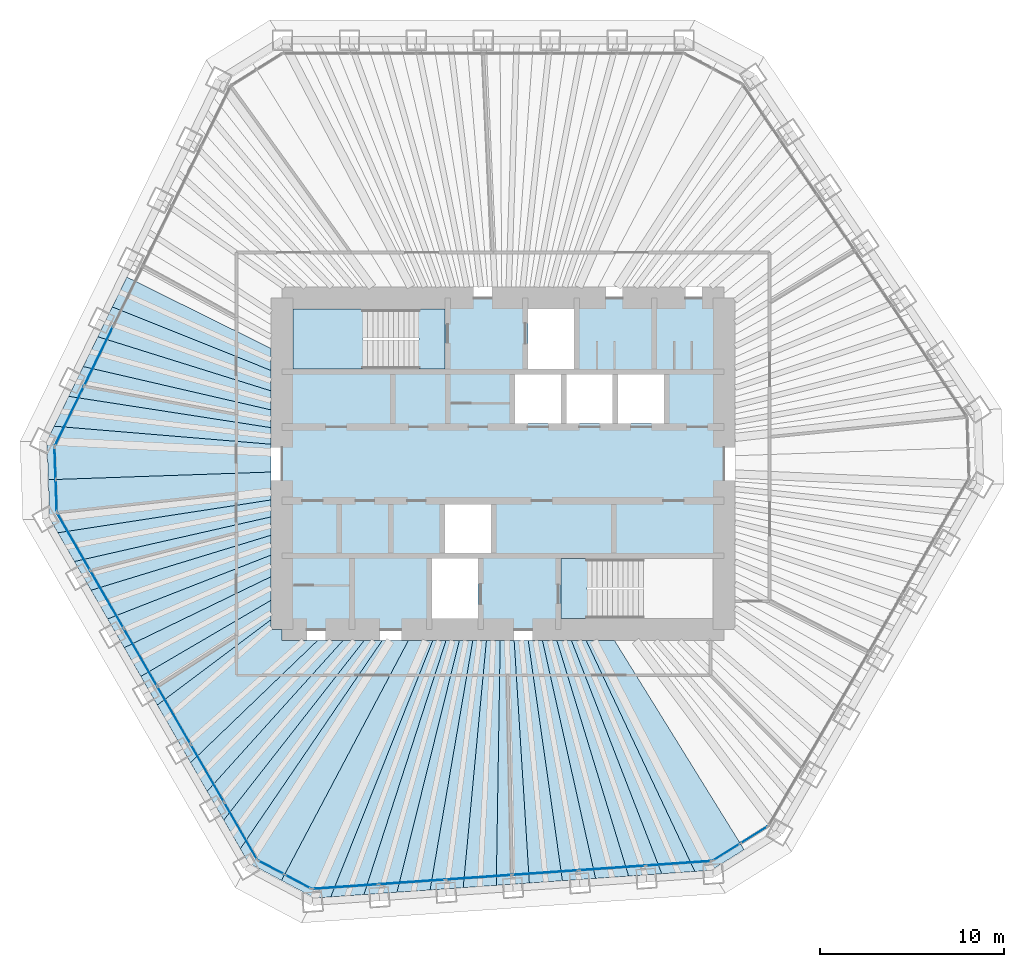
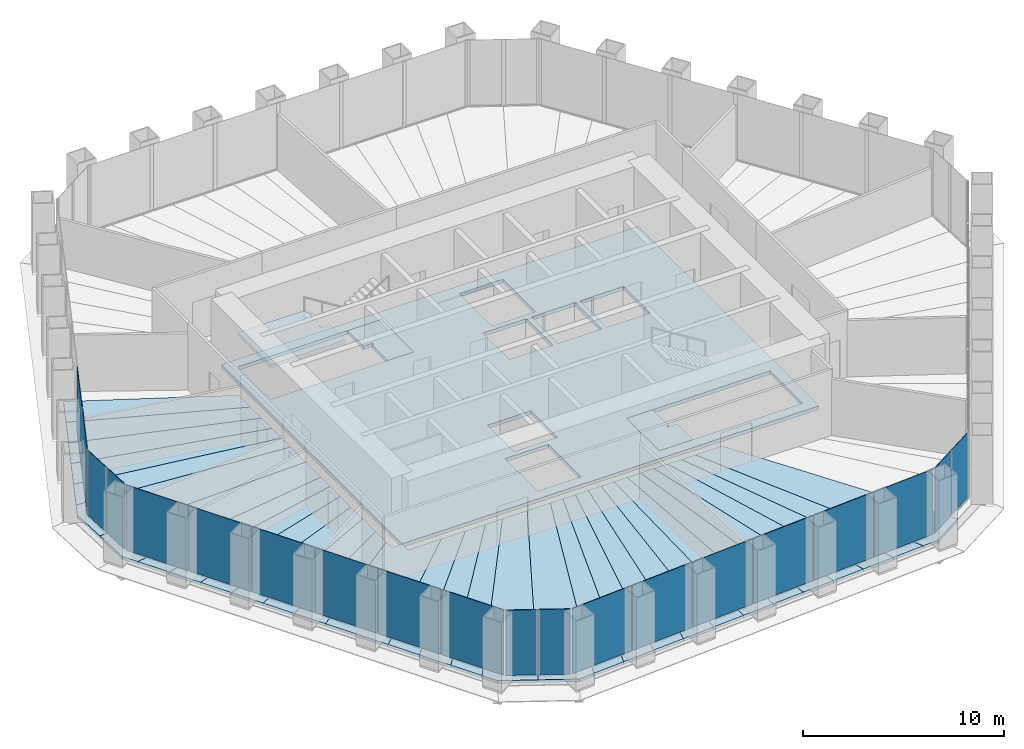
# One storey, part 8 of 13: 35 slabs, 20 plates, 8 elements without a shape of their own.
"""IFC4 building model written with IfcOpenShell, lengths in metres."""

from ifc_helpers import new_model, si_unit, direction, frame, origin, origin_2d, place, context, subcontext, project, spatial, polyline, rectangle, outline, extrude, material, layer, layer_set, type_object, element, aggregate, save


model = new_model("IFC4")

# Units and contexts
model_context = context("Model", 3, precision=1e-05, world=origin(), true_north=direction((0.0, 1.0)))
body_context = subcontext(model_context, "Body", "Model", "MODEL_VIEW")
ifc_project = project(units=[si_unit("LENGTHUNIT", "METRE"), si_unit("AREAUNIT", "SQUARE_METRE"), si_unit("VOLUMEUNIT", "CUBIC_METRE"), si_unit("PLANEANGLEUNIT", "RADIAN"), si_unit("MASSUNIT", "GRAM", prefix="KILO")], contexts=[model_context])

# Site, building, storey
site_placement = place(None, origin())
site = spatial("IfcSite", under=ifc_project, at=site_placement, CompositionType="ELEMENT")
building_placement = place(site_placement, origin())
building = spatial("IfcBuilding", under=site, at=building_placement, Name="Qingtian Harvest Tower", CompositionType="ELEMENT")
storey_placement = place(building_placement, frame((0.0, 0.0, 218.199951171875)))
storey = spatial("IfcBuildingStorey", under=building, at=storey_placement, Name="L47", CompositionType="ELEMENT", Elevation=218.199951171875)

# Slabs
ifc_material_1 = material(Name="Concrete fc' 35 MPa", Category="concrete")
ifc_layer_1 = layer(ifc_material_1, 0.169921875)
ifc_layer_set_1 = layer_set([ifc_layer_1], Name="Composite floor slab FS17 170")
slab_type_1 = type_object("IfcSlabType", Name="Composite floor slab FS17 170", PredefinedType="FLOOR", material=ifc_layer_set_1)
slab_1_placement = place(storey_placement, frame((0.0, 0.0, -0.169921875)))
element("IfcSlab", 1, at=slab_1_placement, inside=storey, type_object=slab_type_1, Name="Floor slab L47 panel D01", PredefinedType="FLOOR", context=body_context, shape_type="SweptSolid", body=[
    extrude(outline(polyline([(-24.6865234375, -0.862060546875), (-12.60009765625, -0.443115234375), (-12.60009765625, -1.958984375), (-24.17236328125, -3.742431640625), (-24.612548828125, -2.979736328125), (-24.6865234375, -0.862060546875)])), origin(), (0.0, 0.0, 1.0), 0.169921875),
])
slab_2_placement = place(storey_placement, frame((0.0, 0.0, -0.169921875)))
element("IfcSlab", 2, at=slab_2_placement, inside=storey, type_object=slab_type_1, Name="Floor slab L47 panel D02", PredefinedType="FLOOR", context=body_context, shape_type="SweptSolid", body=[
    extrude(outline(polyline([(-12.60009765625, -2.880126953125), (-23.271484375, -5.302490234375), (-24.17236328125, -3.742431640625), (-12.60009765625, -1.958984375), (-12.60009765625, -2.880126953125)])), origin(), (0.0, 0.0, 1.0), 0.169921875),
])
slab_3_placement = place(storey_placement, frame((0.0, 0.0, -0.169921875)))
element("IfcSlab", 3, at=slab_3_placement, inside=storey, type_object=slab_type_1, Name="Floor slab L47 panel D03", PredefinedType="FLOOR", context=body_context, shape_type="SweptSolid", body=[
    extrude(outline(polyline([(-12.60009765625, -3.87548828125), (-22.370849609375, -6.862548828125), (-23.271484375, -5.302490234375), (-12.60009765625, -2.880126953125), (-12.60009765625, -3.87548828125)])), origin(), (0.0, 0.0, 1.0), 0.169921875),
])
slab_4_placement = place(storey_placement, frame((0.0, 0.0, -0.169921875)))
element("IfcSlab", 4, at=slab_4_placement, inside=storey, type_object=slab_type_1, Name="Floor slab L47 panel D04", PredefinedType="FLOOR", context=body_context, shape_type="SweptSolid", body=[
    extrude(outline(polyline([(-12.60009765625, -4.95458984375), (-21.47021484375, -8.422607421875), (-22.370849609375, -6.862548828125), (-12.60009765625, -3.87548828125), (-12.60009765625, -4.95458984375)])), origin(), (0.0, 0.0, 1.0), 0.169921875),
])
slab_5_placement = place(storey_placement, frame((0.0, 0.0, -0.169921875)))
element("IfcSlab", 5, at=slab_5_placement, inside=storey, type_object=slab_type_1, Name="Floor slab L47 panel D05", PredefinedType="FLOOR", context=body_context, shape_type="SweptSolid", body=[
    extrude(outline(polyline([(-12.60009765625, -6.128173828125), (-20.569580078125, -9.982666015625), (-21.47021484375, -8.422607421875), (-12.60009765625, -4.95458984375), (-12.60009765625, -6.128173828125)])), origin(), (0.0, 0.0, 1.0), 0.169921875),
])
slab_6_placement = place(storey_placement, frame((0.0, 0.0, -0.169921875)))
element("IfcSlab", 6, at=slab_6_placement, inside=storey, type_object=slab_type_1, Name="Floor slab L47 panel D06", PredefinedType="FLOOR", context=body_context, shape_type="SweptSolid", body=[
    extrude(outline(polyline([(-12.60009765625, -7.409423828125), (-19.668701171875, -11.542724609375), (-20.569580078125, -9.982666015625), (-12.60009765625, -6.128173828125), (-12.60009765625, -7.409423828125)])), origin(), (0.0, 0.0, 1.0), 0.169921875),
])
slab_7_placement = place(storey_placement, frame((0.0, 0.0, -0.169921875)))
element("IfcSlab", 7, at=slab_7_placement, inside=storey, type_object=slab_type_1, Name="Floor slab L47 panel D07", PredefinedType="FLOOR", context=body_context, shape_type="SweptSolid", body=[
    extrude(outline(polyline([(-12.60009765625, -8.46435546875), (-18.771728515625, -13.0966796875), (-19.668701171875, -11.542724609375), (-12.60009765625, -7.409423828125), (-12.60009765625, -8.46435546875)])), origin(), (0.0, 0.0, 1.0), 0.169921875),
])
slab_8_placement = place(storey_placement, frame((0.0, 0.0, -0.169921875)))
element("IfcSlab", 8, at=slab_8_placement, inside=storey, type_object=slab_type_1, Name="Floor slab L47 panel D09", PredefinedType="FLOOR", context=body_context, shape_type="SweptSolid", body=[
    extrude(outline(polyline([(-16.967041015625, -16.22216796875), (-18.771728515625, -13.0966796875), (-12.60009765625, -8.46435546875), (-12.60009765625, -9.0), (-12.0, -9.0), (-12.0, -9.60009765625), (-10.07666015625, -9.60009765625), (-16.967041015625, -16.22216796875)])), origin(), (0.0, 0.0, 1.0), 0.169921875),
])
slab_9_placement = place(storey_placement, frame((0.0, 0.0, -0.169921875)))
element("IfcSlab", 9, at=slab_9_placement, inside=storey, type_object=slab_type_1, Name="Floor slab L47 panel D10", PredefinedType="FLOOR", context=body_context, shape_type="SweptSolid", body=[
    extrude(outline(polyline([(-8.700927734375, -9.60009765625), (-16.06640625, -17.7822265625), (-16.967041015625, -16.22216796875), (-10.07666015625, -9.60009765625), (-8.700927734375, -9.60009765625)])), origin(), (0.0, 0.0, 1.0), 0.169921875),
])
slab_10_placement = place(storey_placement, frame((0.0, 0.0, -0.169921875)))
element("IfcSlab", 10, at=slab_10_placement, inside=storey, type_object=slab_type_1, Name="Floor slab L47 panel D11", PredefinedType="FLOOR", context=body_context, shape_type="SweptSolid", body=[
    extrude(outline(polyline([(-7.548095703125, -9.60009765625), (-15.16552734375, -19.34228515625), (-16.06640625, -17.7822265625), (-8.700927734375, -9.60009765625), (-7.548095703125, -9.60009765625)])), origin(), (0.0, 0.0, 1.0), 0.169921875),
])
slab_11_placement = place(storey_placement, frame((0.0, 0.0, -0.169921875)))
element("IfcSlab", 11, at=slab_11_placement, inside=storey, type_object=slab_type_1, Name="Floor slab L47 panel D12", PredefinedType="FLOOR", context=body_context, shape_type="SweptSolid", body=[
    extrude(outline(polyline([(-6.568359375, -9.60009765625), (-14.264892578125, -20.90234375), (-15.16552734375, -19.34228515625), (-7.548095703125, -9.60009765625), (-6.568359375, -9.60009765625)])), origin(), (0.0, 0.0, 1.0), 0.169921875),
])
slab_12_placement = place(storey_placement, frame((0.0, 0.0, -0.169921875)))
element("IfcSlab", 12, at=slab_12_placement, inside=storey, type_object=slab_type_1, Name="Floor slab L47 panel D13", PredefinedType="FLOOR", context=body_context, shape_type="SweptSolid", body=[
    extrude(outline(polyline([(-6.568359375, -9.60009765625), (-5.14501953125, -9.60009765625), (-12.028076171875, -22.620361328125), (-13.82470703125, -21.6650390625), (-14.264892578125, -20.90234375), (-6.568359375, -9.60009765625)])), origin(), (0.0, 0.0, 1.0), 0.169921875),
])
slab_13_placement = place(storey_placement, frame((0.0, 0.0, -0.169921875)))
element("IfcSlab", 13, at=slab_13_placement, inside=storey, type_object=slab_type_1, Name="Floor slab L47 panel D14", PredefinedType="FLOOR", context=body_context, shape_type="SweptSolid", body=[
    extrude(outline(polyline([(-5.14501953125, -9.60009765625), (-3.817138671875, -9.60009765625), (-9.352294921875, -23.5146484375), (-10.23046875, -23.576171875), (-12.028076171875, -22.620361328125), (-5.14501953125, -9.60009765625)])), origin(), (0.0, 0.0, 1.0), 0.169921875),
])
slab_14_placement = place(storey_placement, frame((0.0, 0.0, -0.169921875)))
element("IfcSlab", 14, at=slab_14_placement, inside=storey, type_object=slab_type_1, Name="Floor slab L47 panel D15", PredefinedType="FLOOR", context=body_context, shape_type="SweptSolid", body=[
    extrude(outline(polyline([(-3.10009765625, -9.60009765625), (-7.55517578125, -23.388916015625), (-9.352294921875, -23.5146484375), (-3.817138671875, -9.60009765625), (-3.10009765625, -9.60009765625)])), origin(), (0.0, 0.0, 1.0), 0.169921875),
])
slab_15_placement = place(storey_placement, frame((0.0, 0.0, -0.169921875)))
element("IfcSlab", 15, at=slab_15_placement, inside=storey, type_object=slab_type_1, Name="Floor slab L47 panel D16", PredefinedType="FLOOR", context=body_context, shape_type="SweptSolid", body=[
    extrude(outline(polyline([(-2.375244140625, -9.60009765625), (-5.75830078125, -23.263427734375), (-7.55517578125, -23.388916015625), (-3.10009765625, -9.60009765625), (-2.375244140625, -9.60009765625)])), origin(), (0.0, 0.0, 1.0), 0.169921875),
])
slab_16_placement = place(storey_placement, frame((0.0, 0.0, -0.169921875)))
element("IfcSlab", 16, at=slab_16_placement, inside=storey, type_object=slab_type_1, Name="Floor slab L47 panel D17", PredefinedType="FLOOR", context=body_context, shape_type="SweptSolid", body=[
    extrude(outline(polyline([(-1.642578125, -9.60009765625), (-3.96142578125, -23.1376953125), (-5.75830078125, -23.263427734375), (-2.375244140625, -9.60009765625), (-1.642578125, -9.60009765625)])), origin(), (0.0, 0.0, 1.0), 0.169921875),
])
slab_17_placement = place(storey_placement, frame((0.0, 0.0, -0.169921875)))
element("IfcSlab", 17, at=slab_17_placement, inside=storey, type_object=slab_type_1, Name="Floor slab L47 panel D18", PredefinedType="FLOOR", context=body_context, shape_type="SweptSolid", body=[
    extrude(outline(polyline([(-0.90185546875, -9.60009765625), (-2.164306640625, -23.011962890625), (-3.96142578125, -23.1376953125), (-1.642578125, -9.60009765625), (-0.90185546875, -9.60009765625)])), origin(), (0.0, 0.0, 1.0), 0.169921875),
])
slab_18_placement = place(storey_placement, frame((0.0, 0.0, -0.169921875)))
element("IfcSlab", 18, at=slab_18_placement, inside=storey, type_object=slab_type_1, Name="Floor slab L47 panel D19", PredefinedType="FLOOR", context=body_context, shape_type="SweptSolid", body=[
    extrude(outline(polyline([(-0.153076171875, -9.60009765625), (-0.367431640625, -22.886474609375), (-2.164306640625, -23.011962890625), (-0.90185546875, -9.60009765625), (-0.153076171875, -9.60009765625)])), origin(), (0.0, 0.0, 1.0), 0.169921875),
])
slab_19_placement = place(storey_placement, frame((0.0, 0.0, -0.169921875)))
element("IfcSlab", 19, at=slab_19_placement, inside=storey, type_object=slab_type_1, Name="Floor slab L47 panel D20", PredefinedType="FLOOR", context=body_context, shape_type="SweptSolid", body=[
    extrude(outline(polyline([(0.60400390625, -9.60009765625), (1.4296875, -22.7607421875), (-0.367431640625, -22.886474609375), (-0.153076171875, -9.60009765625), (0.60400390625, -9.60009765625)])), origin(), (0.0, 0.0, 1.0), 0.169921875),
])
slab_20_placement = place(storey_placement, frame((0.0, 0.0, -0.169921875)))
element("IfcSlab", 20, at=slab_20_placement, inside=storey, type_object=slab_type_1, Name="Floor slab L47 panel D21", PredefinedType="FLOOR", context=body_context, shape_type="SweptSolid", body=[
    extrude(outline(polyline([(1.36962890625, -9.60009765625), (3.2265625, -22.635009765625), (1.4296875, -22.7607421875), (0.60400390625, -9.60009765625), (1.36962890625, -9.60009765625)])), origin(), (0.0, 0.0, 1.0), 0.169921875),
])
slab_21_placement = place(storey_placement, frame((0.0, 0.0, -0.169921875)))
element("IfcSlab", 21, at=slab_21_placement, inside=storey, type_object=slab_type_1, Name="Floor slab L47 panel D22", PredefinedType="FLOOR", context=body_context, shape_type="SweptSolid", body=[
    extrude(outline(polyline([(2.1435546875, -9.60009765625), (5.023681640625, -22.509521484375), (3.2265625, -22.635009765625), (1.36962890625, -9.60009765625), (2.1435546875, -9.60009765625)])), origin(), (0.0, 0.0, 1.0), 0.169921875),
])
slab_22_placement = place(storey_placement, frame((0.0, 0.0, -0.169921875)))
element("IfcSlab", 22, at=slab_22_placement, inside=storey, type_object=slab_type_1, Name="Floor slab L47 panel D23", PredefinedType="FLOOR", context=body_context, shape_type="SweptSolid", body=[
    extrude(outline(polyline([(2.92626953125, -9.60009765625), (6.820556640625, -22.3837890625), (5.023681640625, -22.509521484375), (2.1435546875, -9.60009765625), (2.92626953125, -9.60009765625)])), origin(), (0.0, 0.0, 1.0), 0.169921875),
])
slab_23_placement = place(storey_placement, frame((0.0, 0.0, -0.169921875)))
element("IfcSlab", 23, at=slab_23_placement, inside=storey, type_object=slab_type_1, Name="Floor slab L47 panel D24", PredefinedType="FLOOR", context=body_context, shape_type="SweptSolid", body=[
    extrude(outline(polyline([(3.718017578125, -9.60009765625), (8.61767578125, -22.258056640625), (6.820556640625, -22.3837890625), (2.92626953125, -9.60009765625), (3.718017578125, -9.60009765625)])), origin(), (0.0, 0.0, 1.0), 0.169921875),
])
slab_24_placement = place(storey_placement, frame((0.0, 0.0, -0.169921875)))
element("IfcSlab", 24, at=slab_24_placement, inside=storey, type_object=slab_type_1, Name="Floor slab L47 panel D25", PredefinedType="FLOOR", context=body_context, shape_type="SweptSolid", body=[
    extrude(outline(polyline([(4.5185546875, -9.60009765625), (10.41455078125, -22.13232421875), (8.61767578125, -22.258056640625), (3.718017578125, -9.60009765625), (4.5185546875, -9.60009765625)])), origin(), (0.0, 0.0, 1.0), 0.169921875),
])
slab_25_placement = place(storey_placement, frame((0.0, 0.0, -0.169921875)))
element("IfcSlab", 25, at=slab_25_placement, inside=storey, type_object=slab_type_1, Name="Floor slab L47 panel D26", PredefinedType="FLOOR", context=body_context, shape_type="SweptSolid", body=[
    extrude(outline(polyline([(4.5185546875, -9.60009765625), (6.059326171875, -9.60009765625), (13.090576171875, -20.94775390625), (11.292724609375, -22.071044921875), (10.41455078125, -22.13232421875), (4.5185546875, -9.60009765625)])), origin(), (0.0, 0.0, 1.0), 0.169921875),
])
slab_26_placement = place(storey_placement, frame((0.0, 0.0, -0.169921875)))
element("IfcSlab", 26, at=slab_26_placement, inside=storey, type_object=slab_type_1, Name="Floor slab L47 panel D73", PredefinedType="FLOOR", context=body_context, shape_type="SweptSolid", body=[
    extrude(outline(polyline([(-12.60009765625, 5.072509765625), (-21.2158203125, 8.5234375), (-20.426025390625, 10.142578125), (-12.60009765625, 6.268310546875), (-12.60009765625, 5.072509765625)])), origin(), (0.0, 0.0, 1.0), 0.169921875),
])
slab_27_placement = place(storey_placement, frame((0.0, 0.0, -0.169921875)))
element("IfcSlab", 27, at=slab_27_placement, inside=storey, type_object=slab_type_1, Name="Floor slab L47 panel D74", PredefinedType="FLOOR", context=body_context, shape_type="SweptSolid", body=[
    extrude(outline(polyline([(-12.60009765625, 3.962890625), (-22.00537109375, 6.904296875), (-21.2158203125, 8.5234375), (-12.60009765625, 5.072509765625), (-12.60009765625, 3.962890625)])), origin(), (0.0, 0.0, 1.0), 0.169921875),
])
slab_28_placement = place(storey_placement, frame((0.0, 0.0, -0.169921875)))
element("IfcSlab", 28, at=slab_28_placement, inside=storey, type_object=slab_type_1, Name="Floor slab L47 panel D75", PredefinedType="FLOOR", context=body_context, shape_type="SweptSolid", body=[
    extrude(outline(polyline([(-12.60009765625, 2.929931640625), (-22.795166015625, 5.28515625), (-22.00537109375, 6.904296875), (-12.60009765625, 3.962890625), (-12.60009765625, 2.929931640625)])), origin(), (0.0, 0.0, 1.0), 0.169921875),
])
slab_29_placement = place(storey_placement, frame((0.0, 0.0, -0.169921875)))
element("IfcSlab", 29, at=slab_29_placement, inside=storey, type_object=slab_type_1, Name="Floor slab L47 panel D76", PredefinedType="FLOOR", context=body_context, shape_type="SweptSolid", body=[
    extrude(outline(polyline([(-12.60009765625, 1.96630859375), (-23.584716796875, 3.666259765625), (-22.795166015625, 5.28515625), (-12.60009765625, 2.929931640625), (-12.60009765625, 1.96630859375)])), origin(), (0.0, 0.0, 1.0), 0.169921875),
])
slab_30_placement = place(storey_placement, frame((0.0, 0.0, -0.169921875)))
element("IfcSlab", 30, at=slab_30_placement, inside=storey, type_object=slab_type_1, Name="Floor slab L47 panel D77", PredefinedType="FLOOR", context=body_context, shape_type="SweptSolid", body=[
    extrude(outline(polyline([(-12.60009765625, 1.065185546875), (-24.37451171875, 2.047119140625), (-23.584716796875, 3.666259765625), (-12.60009765625, 1.96630859375), (-12.60009765625, 1.065185546875)])), origin(), (0.0, 0.0, 1.0), 0.169921875),
])
slab_31_placement = place(storey_placement, frame((0.0, 0.0, -0.169921875)))
element("IfcSlab", 31, at=slab_31_placement, inside=storey, type_object=slab_type_1, Name="Floor slab L47 panel D78", PredefinedType="FLOOR", context=body_context, shape_type="SweptSolid", body=[
    extrude(outline(polyline([(-12.60009765625, 1.065185546875), (-12.60009765625, -0.443115234375), (-24.6865234375, -0.862060546875), (-24.760498046875, 1.255615234375), (-24.37451171875, 2.047119140625), (-12.60009765625, 1.065185546875)])), origin(), (0.0, 0.0, 1.0), 0.169921875),
])
ifc_material_2 = material(Name="Concrete fc' 35 MPa", Category="concrete")
ifc_layer_2 = layer(ifc_material_2, 0.219970703125)
ifc_layer_set_2 = layer_set([ifc_layer_2], Name="Core floor slab CS22 220")
slab_type_2 = type_object("IfcSlabType", Name="Core floor slab CS22 220", PredefinedType="FLOOR", material=ifc_layer_set_2)
slab_32_placement = place(storey_placement, frame((0.0, 0.0, -0.219970703125)))
element("IfcSlab", 32, at=slab_32_placement, inside=storey, type_object=slab_type_2, Name="Core floor slab L47", PredefinedType="FLOOR", context=body_context, shape_type="SweptSolid", body=[
    extrude(outline(polyline([(-12.0, -9.0), (12.0, -9.0), (12.0, 9.0), (-12.0, 9.0), (-12.0, -9.0)]), holes=[polyline([(-11.39990234375, 5.14990234375), (-3.14990234375, 5.14990234375), (-3.14990234375, 8.39990234375), (-11.39990234375, 8.39990234375), (-11.39990234375, 5.14990234375)]), polyline([(3.14990234375, -8.39990234375), (11.39990234375, -8.39990234375), (11.39990234375, -5.14990234375), (3.14990234375, -5.14990234375), (3.14990234375, -8.39990234375)]), polyline([(1.35009765625, 5.14990234375), (3.85009765625, 5.14990234375), (3.85009765625, 8.39990234375), (1.35009765625, 8.39990234375), (1.35009765625, 5.14990234375)]), polyline([(-3.85009765625, -8.39990234375), (-1.35009765625, -8.39990234375), (-1.35009765625, -5.14990234375), (-3.85009765625, -5.14990234375), (-3.85009765625, -8.39990234375)]), polyline([(0.64990234375, 2.199951171875), (3.14990234375, 2.199951171875), (3.14990234375, 4.85009765625), (0.64990234375, 4.85009765625), (0.64990234375, 2.199951171875)]), polyline([(3.449951171875, 2.199951171875), (5.949951171875, 2.199951171875), (5.949951171875, 4.85009765625), (3.449951171875, 4.85009765625), (3.449951171875, 2.199951171875)]), polyline([(6.25, 2.199951171875), (8.75, 2.199951171875), (8.75, 4.85009765625), (6.25, 4.85009765625), (6.25, 2.199951171875)]), polyline([(-3.14990234375, -4.85009765625), (-0.64990234375, -4.85009765625), (-0.64990234375, -2.199951171875), (-3.14990234375, -2.199951171875), (-3.14990234375, -4.85009765625)])]), origin(), (0.0, 0.0, 1.0), 0.219970703125),
])

# Curtain wall, plates
ifc_material_3 = material(Name="Bronze-anodised aluminium curtain wall", Category="aluminium")
curtain_wall_type = type_object("IfcCurtainWallType", Name="Curtain wall CW4 office", PredefinedType="USERDEFINED", material=ifc_material_3)
curtain_wall_1_placement = place(storey_placement, origin())
curtain_wall_1 = element("IfcCurtainWall", 33, at=curtain_wall_1_placement, inside=storey, type_object=curtain_wall_type, Name="Curtain wall CW4 L47 SEC", ObjectType="RECESSED CURTAIN WALL", PredefinedType="USERDEFINED")
ifc_material_4 = material(Name="Bronze-tinted laminated insulating glass", Category="glass")
ifc_layer_3 = layer(ifc_material_4, 0.030029296875)
ifc_layer_set_3 = layer_set([ifc_layer_3], Name="Glazed panel CWP tinted IGU")
plate_type = type_object("IfcPlateType", Name="Glazed panel CWP tinted IGU", PredefinedType="CURTAIN_PANEL", material=ifc_layer_set_3)
plate_1_placement = place(storey_placement, frame((13.624755859375, -20.1455078125, 0.06494140625), z_axis=(0.0, 0.0, 1.0), x_axis=(-0.848048096156, -0.529919264233, 0.0)))
plate_1 = element("IfcPlate", 34, at=plate_1_placement, type_object=plate_type, Name="CW4 panel 1.1", PredefinedType="CURTAIN_PANEL", context=body_context, shape_type="SweptSolid", body=[
    extrude(rectangle(XDim=1.69287109375, YDim=0.030029296875, at=origin_2d()), origin(), (0.0, 0.0, 1.0), 3.965087890625),
])
plate_2_placement = place(storey_placement, frame((12.134033203125, -21.076904296875, 0.06494140625), z_axis=(0.0, 0.0, 1.0), x_axis=(-0.848048096156, -0.529919264233, 0.0)))
plate_2 = element("IfcPlate", 35, at=plate_2_placement, type_object=plate_type, Name="CW4 panel 2.1", PredefinedType="CURTAIN_PANEL", context=body_context, shape_type="SweptSolid", body=[
    extrude(rectangle(XDim=1.69287109375, YDim=0.030029296875, at=origin_2d()), origin(), (0.0, 0.0, 1.0), 3.965087890625),
])
aggregate(curtain_wall_1, [plate_1, plate_2])

curtain_wall_2_placement = place(storey_placement, origin())
curtain_wall_2 = element("IfcCurtainWall", 36, at=curtain_wall_2_placement, inside=storey, type_object=curtain_wall_type, Name="Curtain wall CW4 L47 S0-5", ObjectType="RECESSED CURTAIN WALL", PredefinedType="USERDEFINED")
plate_3_placement = place(storey_placement, frame((9.532470703125, -21.68798828125, 0.06494140625), z_axis=(0.0, 0.0, 1.0), x_axis=(-0.99756405026, -0.069756473744, 0.0)))
plate_3 = element("IfcPlate", 37, at=plate_3_placement, type_object=plate_type, Name="CW4 panel 1.1", PredefinedType="CURTAIN_PANEL", context=body_context, shape_type="SweptSolid", body=[
    extrude(rectangle(XDim=3.5361328125, YDim=0.030029296875, at=origin_2d()), origin(), (0.0, 0.0, 1.0), 3.965087890625),
])
plate_4_placement = place(storey_placement, frame((5.923828125, -21.940185546875, 0.06494140625), z_axis=(0.0, 0.0, 1.0), x_axis=(-0.99756405026, -0.069756473744, 0.0)))
plate_4 = element("IfcPlate", 38, at=plate_4_placement, type_object=plate_type, Name="CW4 panel 2.1", PredefinedType="CURTAIN_PANEL", context=body_context, shape_type="SweptSolid", body=[
    extrude(rectangle(XDim=3.568603515625, YDim=0.030029296875, at=origin_2d()), origin(), (0.0, 0.0, 1.0), 3.965087890625),
])
plate_5_placement = place(storey_placement, frame((2.299072265625, -22.193603515625, 0.06494140625), z_axis=(0.0, 0.0, 1.0), x_axis=(-0.99756405026, -0.069756473744, 0.0)))
plate_5 = element("IfcPlate", 39, at=plate_5_placement, type_object=plate_type, Name="CW4 panel 3.1", PredefinedType="CURTAIN_PANEL", context=body_context, shape_type="SweptSolid", body=[
    extrude(rectangle(XDim=3.568603515625, YDim=0.030029296875, at=origin_2d()), origin(), (0.0, 0.0, 1.0), 3.965087890625),
])
plate_6_placement = place(storey_placement, frame((-1.325439453125, -22.447021484375, 0.06494140625), z_axis=(0.0, 0.0, 1.0), x_axis=(-0.99756405026, -0.069756473744, 0.0)))
plate_6 = element("IfcPlate", 40, at=plate_6_placement, type_object=plate_type, Name="CW4 panel 4.1", PredefinedType="CURTAIN_PANEL", context=body_context, shape_type="SweptSolid", body=[
    extrude(rectangle(XDim=3.568603515625, YDim=0.030029296875, at=origin_2d()), origin(), (0.0, 0.0, 1.0), 3.965087890625),
])
plate_7_placement = place(storey_placement, frame((-4.9501953125, -22.70068359375, 0.06494140625), z_axis=(0.0, 0.0, 1.0), x_axis=(-0.99756405026, -0.069756473744, 0.0)))
plate_7 = element("IfcPlate", 41, at=plate_7_placement, type_object=plate_type, Name="CW4 panel 5.1", PredefinedType="CURTAIN_PANEL", context=body_context, shape_type="SweptSolid", body=[
    extrude(rectangle(XDim=3.568603515625, YDim=0.030029296875, at=origin_2d()), origin(), (0.0, 0.0, 1.0), 3.965087890625),
])
plate_8_placement = place(storey_placement, frame((-8.55859375, -22.952880859375, 0.06494140625), z_axis=(0.0, 0.0, 1.0), x_axis=(-0.99756405026, -0.069756473744, 0.0)))
plate_8 = element("IfcPlate", 42, at=plate_8_placement, type_object=plate_type, Name="CW4 panel 6.1", PredefinedType="CURTAIN_PANEL", context=body_context, shape_type="SweptSolid", body=[
    extrude(rectangle(XDim=3.5361328125, YDim=0.030029296875, at=origin_2d()), origin(), (0.0, 0.0, 1.0), 3.965087890625),
])
aggregate(curtain_wall_2, [plate_3, plate_4, plate_5, plate_6, plate_7, plate_8])

curtain_wall_3_placement = place(storey_placement, origin())
curtain_wall_3 = element("IfcCurtainWall", 43, at=curtain_wall_3_placement, inside=storey, type_object=curtain_wall_type, Name="Curtain wall CW4 L47 SC", ObjectType="RECESSED CURTAIN WALL", PredefinedType="USERDEFINED")
plate_9_placement = place(storey_placement, frame((-11.136474609375, -22.682373046875, 0.06494140625), z_axis=(0.0, 0.0, 1.0), x_axis=(-0.882947592859, 0.469471562786, 0.0)))
plate_9 = element("IfcPlate", 44, at=plate_9_placement, type_object=plate_type, Name="CW4 panel 1.1", PredefinedType="CURTAIN_PANEL", context=body_context, shape_type="SweptSolid", body=[
    extrude(rectangle(XDim=1.56689453125, YDim=0.030029296875, at=origin_2d()), origin(), (0.0, 0.0, 1.0), 3.965087890625),
])
plate_10_placement = place(storey_placement, frame((-12.5771484375, -21.916259765625, 0.06494140625), z_axis=(0.0, 0.0, 1.0), x_axis=(-0.882947592859, 0.469471562786, 0.0)))
plate_10 = element("IfcPlate", 45, at=plate_10_placement, type_object=plate_type, Name="CW4 panel 2.1", PredefinedType="CURTAIN_PANEL", context=body_context, shape_type="SweptSolid", body=[
    extrude(rectangle(XDim=1.56689453125, YDim=0.030029296875, at=origin_2d()), origin(), (0.0, 0.0, 1.0), 3.965087890625),
])
aggregate(curtain_wall_3, [plate_9, plate_10])

curtain_wall_4_placement = place(storey_placement, origin())
curtain_wall_4 = element("IfcCurtainWall", 46, at=curtain_wall_4_placement, inside=storey, type_object=curtain_wall_type, Name="Curtain wall CW4 L47 SW0-5", ObjectType="RECESSED CURTAIN WALL", PredefinedType="USERDEFINED")
plate_11_placement = place(storey_placement, frame((-14.242919921875, -19.9306640625, 0.06494140625), z_axis=(0.0, 0.0, 1.0), x_axis=(-0.5, 0.866025403784, 0.0)))
plate_11 = element("IfcPlate", 47, at=plate_11_placement, type_object=plate_type, Name="CW4 panel 1.1", PredefinedType="CURTAIN_PANEL", context=body_context, shape_type="SweptSolid", body=[
    extrude(rectangle(XDim=3.5361328125, YDim=0.030029296875, at=origin_2d()), origin(), (0.0, 0.0, 1.0), 3.965087890625),
])
plate_12_placement = place(storey_placement, frame((-16.051513671875, -16.7978515625, 0.06494140625), z_axis=(0.0, 0.0, 1.0), x_axis=(-0.5, 0.866025403784, 0.0)))
plate_12 = element("IfcPlate", 48, at=plate_12_placement, type_object=plate_type, Name="CW4 panel 2.1", PredefinedType="CURTAIN_PANEL", context=body_context, shape_type="SweptSolid", body=[
    extrude(rectangle(XDim=3.568603515625, YDim=0.030029296875, at=origin_2d()), origin(), (0.0, 0.0, 1.0), 3.965087890625),
])
plate_13_placement = place(storey_placement, frame((-17.868408203125, -13.651123046875, 0.06494140625), z_axis=(0.0, 0.0, 1.0), x_axis=(-0.5, 0.866025403784, 0.0)))
plate_13 = element("IfcPlate", 49, at=plate_13_placement, type_object=plate_type, Name="CW4 panel 3.1", PredefinedType="CURTAIN_PANEL", context=body_context, shape_type="SweptSolid", body=[
    extrude(rectangle(XDim=3.568603515625, YDim=0.030029296875, at=origin_2d()), origin(), (0.0, 0.0, 1.0), 3.965087890625),
])
plate_14_placement = place(storey_placement, frame((-19.68505859375, -10.50439453125, 0.06494140625), z_axis=(0.0, 0.0, 1.0), x_axis=(-0.5, 0.866025403784, 0.0)))
plate_14 = element("IfcPlate", 50, at=plate_14_placement, type_object=plate_type, Name="CW4 panel 4.1", PredefinedType="CURTAIN_PANEL", context=body_context, shape_type="SweptSolid", body=[
    extrude(rectangle(XDim=3.568603515625, YDim=0.030029296875, at=origin_2d()), origin(), (0.0, 0.0, 1.0), 3.965087890625),
])
plate_15_placement = place(storey_placement, frame((-21.501953125, -7.357666015625, 0.06494140625), z_axis=(0.0, 0.0, 1.0), x_axis=(-0.5, 0.866025403784, 0.0)))
plate_15 = element("IfcPlate", 51, at=plate_15_placement, type_object=plate_type, Name="CW4 panel 5.1", PredefinedType="CURTAIN_PANEL", context=body_context, shape_type="SweptSolid", body=[
    extrude(rectangle(XDim=3.568603515625, YDim=0.030029296875, at=origin_2d()), origin(), (0.0, 0.0, 1.0), 3.965087890625),
])
plate_16_placement = place(storey_placement, frame((-23.310546875, -4.22509765625, 0.06494140625), z_axis=(0.0, 0.0, 1.0), x_axis=(-0.5, 0.866025403784, 0.0)))
plate_16 = element("IfcPlate", 52, at=plate_16_placement, type_object=plate_type, Name="CW4 panel 6.1", PredefinedType="CURTAIN_PANEL", context=body_context, shape_type="SweptSolid", body=[
    extrude(rectangle(XDim=3.5361328125, YDim=0.030029296875, at=origin_2d()), origin(), (0.0, 0.0, 1.0), 3.965087890625),
])
aggregate(curtain_wall_4, [plate_11, plate_12, plate_13, plate_14, plate_15, plate_16])

curtain_wall_5_placement = place(storey_placement, origin())
curtain_wall_5 = element("IfcCurtainWall", 53, at=curtain_wall_5_placement, inside=storey, type_object=curtain_wall_type, Name="Curtain wall CW4 L47 SWC", ObjectType="RECESSED CURTAIN WALL", PredefinedType="USERDEFINED")
plate_17_placement = place(storey_placement, frame((-24.2587890625, -1.7265625, 0.06494140625), z_axis=(0.0, 0.0, 1.0), x_axis=(-0.034899496703, 0.999390827019, 0.0)))
plate_17 = element("IfcPlate", 54, at=plate_17_placement, type_object=plate_type, Name="CW4 panel 1.1", PredefinedType="CURTAIN_PANEL", context=body_context, shape_type="SweptSolid", body=[
    extrude(rectangle(XDim=1.69287109375, YDim=0.030029296875, at=origin_2d()), origin(), (0.0, 0.0, 1.0), 3.965087890625),
])
plate_18_placement = place(storey_placement, frame((-24.320068359375, 0.0302734375, 0.06494140625), z_axis=(0.0, 0.0, 1.0), x_axis=(-0.034899496703, 0.999390827019, 0.0)))
plate_18 = element("IfcPlate", 55, at=plate_18_placement, type_object=plate_type, Name="CW4 panel 2.1", PredefinedType="CURTAIN_PANEL", context=body_context, shape_type="SweptSolid", body=[
    extrude(rectangle(XDim=1.69287109375, YDim=0.030029296875, at=origin_2d()), origin(), (0.0, 0.0, 1.0), 3.965087890625),
])
aggregate(curtain_wall_5, [plate_17, plate_18])

curtain_wall_6_placement = place(storey_placement, origin())
curtain_wall_6 = element("IfcCurtainWall", 56, at=curtain_wall_6_placement, inside=storey, type_object=curtain_wall_type, Name="Curtain wall CW4 L47 NW0-5", ObjectType="RECESSED CURTAIN WALL", PredefinedType="USERDEFINED")
plate_19_placement = place(storey_placement, frame((-23.54833984375, 2.588623046875, 0.06494140625), z_axis=(0.0, 0.0, 1.0), x_axis=(0.438371146789, 0.898794046299, 0.0)))
plate_19 = element("IfcPlate", 57, at=plate_19_placement, type_object=plate_type, Name="CW4 panel 1.1", PredefinedType="CURTAIN_PANEL", context=body_context, shape_type="SweptSolid", body=[
    extrude(rectangle(XDim=3.5361328125, YDim=0.030029296875, at=origin_2d()), origin(), (0.0, 0.0, 1.0), 3.965087890625),
])
plate_20_placement = place(storey_placement, frame((-21.962646484375, 5.83984375, 0.06494140625), z_axis=(0.0, 0.0, 1.0), x_axis=(0.438371146789, 0.898794046299, 0.0)))
plate_20 = element("IfcPlate", 58, at=plate_20_placement, type_object=plate_type, Name="CW4 panel 2.1", PredefinedType="CURTAIN_PANEL", context=body_context, shape_type="SweptSolid", body=[
    extrude(rectangle(XDim=3.568603515625, YDim=0.030029296875, at=origin_2d()), origin(), (0.0, 0.0, 1.0), 3.965087890625),
])
aggregate(curtain_wall_6, [plate_19, plate_20])

# Stair, slabs
ifc_material_5 = material(Name="Concrete fc' 35 MPa", Category="concrete")
stair_type = type_object("IfcStairType", Name="Special stair ST4 4200", PredefinedType="HALF_TURN_STAIR", material=ifc_material_5)
stair_1_placement = place(storey_placement, origin())
stair_1 = element("IfcStair", 59, at=stair_1_placement, inside=storey, type_object=stair_type, Name="Special stair S1 L47", PredefinedType="HALF_TURN_STAIR")
ifc_material_6 = material(Name="Concrete fc' 35 MPa", Category="concrete")
ifc_layer_4 = layer(ifc_material_6, 0.199951171875)
ifc_layer_set_4 = layer_set([ifc_layer_4], Name="Stair landing SL2 200")
slab_type_3 = type_object("IfcSlabType", Name="Stair landing SL2 200", PredefinedType="LANDING", material=ifc_layer_set_4)
slab_33_placement = place(storey_placement, frame((0.0, 0.0, -0.199951171875)))
slab_33 = element("IfcSlab", 60, at=slab_33_placement, type_object=slab_type_3, Name="S1 landing 1", PredefinedType="LANDING", context=body_context, shape_type="SweptSolid", body=[
    extrude(outline(polyline([(-4.64990234375, 5.14990234375), (-4.64990234375, 6.72509765625), (-4.550048828125, 6.72509765625), (-4.550048828125, 6.824951171875), (-5.0849609375, 6.824951171875), (-5.0849609375, 8.39990234375), (-3.14990234375, 8.39990234375), (-3.14990234375, 5.14990234375), (-4.64990234375, 5.14990234375)])), origin(), (0.0, 0.0, 1.0), 0.199951171875),
])
slab_34_placement = place(storey_placement, frame((0.0, 0.0, 1.900146484375)))
slab_34 = element("IfcSlab", 61, at=slab_34_placement, type_object=slab_type_3, Name="S1 landing 2", PredefinedType="LANDING", context=body_context, shape_type="SweptSolid", body=[
    extrude(outline(polyline([(-7.094970703125, 5.14990234375), (-11.39990234375, 5.14990234375), (-11.39990234375, 8.39990234375), (-7.530029296875, 8.39990234375), (-7.530029296875, 6.824951171875), (-7.6298828125, 6.824951171875), (-7.6298828125, 6.72509765625), (-7.094970703125, 6.72509765625), (-7.094970703125, 5.14990234375)])), origin(), (0.0, 0.0, 1.0), 0.199951171875),
])
aggregate(stair_1, [slab_33, slab_34])

# Stair, slab
stair_2_placement = place(storey_placement, origin())
stair_2 = element("IfcStair", 62, at=stair_2_placement, inside=storey, type_object=stair_type, Name="Special stair S2 L47", PredefinedType="HALF_TURN_STAIR")
slab_35_placement = place(storey_placement, frame((0.0, 0.0, -0.199951171875)))
slab_35 = element("IfcSlab", 63, at=slab_35_placement, type_object=slab_type_3, Name="S2 landing 1", PredefinedType="LANDING", context=body_context, shape_type="SweptSolid", body=[
    extrude(outline(polyline([(5.0849609375, -8.39990234375), (3.14990234375, -8.39990234375), (3.14990234375, -5.14990234375), (4.64990234375, -5.14990234375), (4.64990234375, -6.72509765625), (4.550048828125, -6.72509765625), (4.550048828125, -6.824951171875), (5.0849609375, -6.824951171875), (5.0849609375, -8.39990234375)])), origin(), (0.0, 0.0, 1.0), 0.199951171875),
])
aggregate(stair_2, [slab_35])

save(model, "model.ifc")
